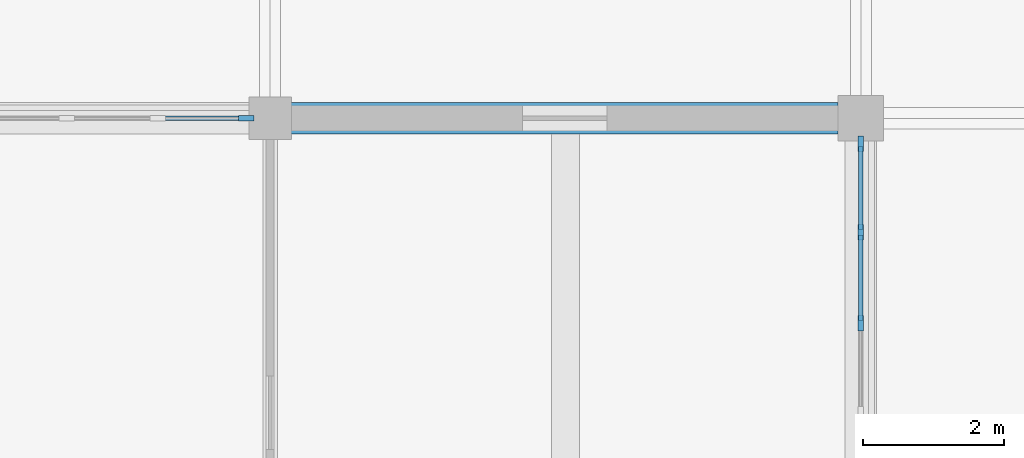
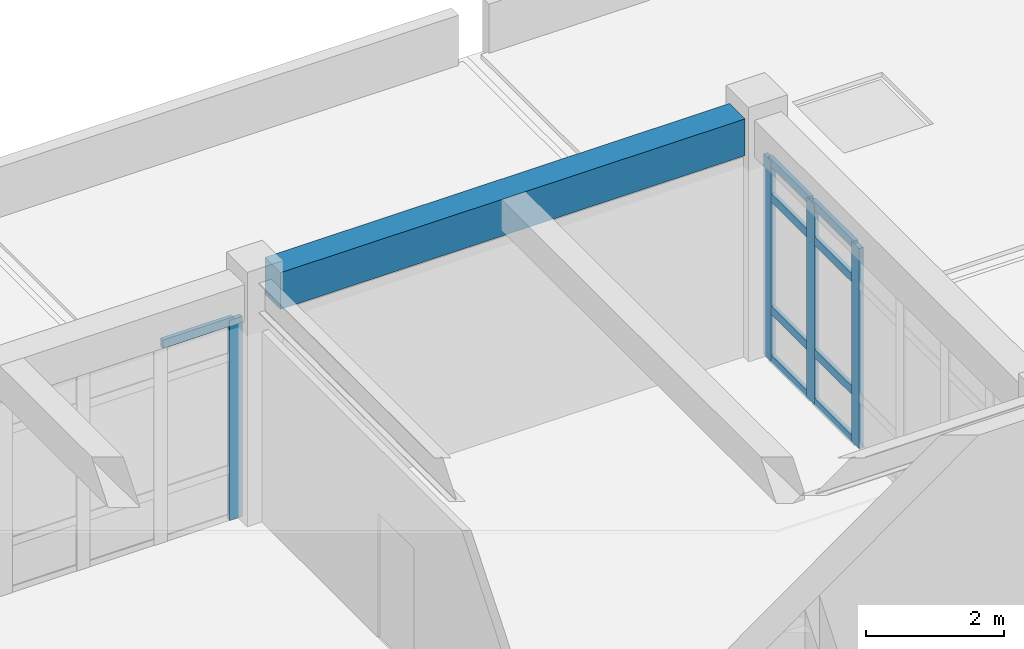
# One storey, part 37 of 78: 13 members, 1 beam, 2 elements without a shape of their own.
"""IFC4 building model written with IfcOpenShell, lengths in metres."""

from ifc_helpers import new_model, si_unit, direction, frame, origin, origin_2d, place, context, subcontext, project, spatial, rectangle, extrude, material, layer, layer_set, material_profile, profile_set, type_object, element, aggregate, save


model = new_model("IFC4")

# Units and contexts
model_context = context("Model", 3, precision=1e-05, world=origin(), true_north=direction((0.0, 1.0)))
body_context = subcontext(model_context, "Body", "Model", "MODEL_VIEW")
ifc_project = project(units=[si_unit("LENGTHUNIT", "METRE"), si_unit("AREAUNIT", "SQUARE_METRE"), si_unit("VOLUMEUNIT", "CUBIC_METRE"), si_unit("PLANEANGLEUNIT", "RADIAN"), si_unit("MASSUNIT", "GRAM", prefix="KILO")], contexts=[model_context])

# Site, building, storey
site_placement = place(None, origin())
site = spatial("IfcSite", under=ifc_project, at=site_placement, CompositionType="ELEMENT")
building_placement = place(site_placement, origin())
building = spatial("IfcBuilding", under=site, at=building_placement, Name="Porcellanite Civic Hall", CompositionType="ELEMENT")
storey_placement = place(building_placement, frame((0.0, 0.0, 10.260009765625)))
storey = spatial("IfcBuildingStorey", under=building, at=storey_placement, Name="L02", CompositionType="ELEMENT", Elevation=10.260009765625)

# Beam
ifc_material_1 = material(Name="Concrete N50 (50 MPa)", Category="concrete")
ifc_material_profile_1 = material_profile(ifc_material_1, rectangle(XDim=0.449951171875, YDim=0.64990234375, at=origin_2d()), Name="RC-450x650")
ifc_profile_set_1 = profile_set([ifc_material_profile_1], Name="Concrete N50 (50 MPa)")
beam_type = type_object("IfcBeamType", Name="BM-RC650", PredefinedType="SPANDREL", material=ifc_profile_set_1)
beam_placement = place(storey_placement, frame((159.8994140625, 67.199951171875, 3.9150390625), z_axis=(1.0, 0.0, 0.0), x_axis=(0.0, 1.0, 0.0)))
element("IfcBeam", 1, at=beam_placement, inside=storey, type_object=beam_type, Name="Beam X L02 20-9", PredefinedType="SPANDREL", context=body_context, shape_type="SweptSolid", body=[
    extrude(rectangle(XDim=0.449951171875, YDim=0.64990234375, at=origin_2d()), origin(), (0.0, 0.0, 1.0), 7.776123046875),
])

# Curtain wall, member
ifc_material_2 = material(Name="Anodised aluminium and solar laminated glass", Category="aluminium")
ifc_layer = layer(ifc_material_2, 0.179931640625)
ifc_layer_set = layer_set([ifc_layer], Name="Anodised aluminium and solar laminated glass")
curtain_wall_type = type_object("IfcCurtainWallType", Name="CW-SYS02", PredefinedType="NOTDEFINED", material=ifc_layer_set)
curtain_wall_1_placement = place(storey_placement, origin())
curtain_wall_1 = element("IfcCurtainWall", 2, at=curtain_wall_1_placement, inside=storey, type_object=curtain_wall_type, Name="Curtain wall CW-178", PredefinedType="NOTDEFINED")
ifc_material_3 = material(Name="Anodised aluminium 6063-T6", Category="aluminium")
ifc_material_profile_2 = material_profile(ifc_material_3, rectangle(XDim=0.074951171875, YDim=0.219970703125, at=origin_2d()), Name="AL-75x220")
ifc_profile_set_2 = profile_set([ifc_material_profile_2], Name="Anodised aluminium 6063-T6")
member_type_1 = type_object("IfcMemberType", Name="CWM-03", PredefinedType="MULLION", material=ifc_profile_set_2)
member_1_placement = place(storey_placement, frame((159.261474609375, 67.199951171875, 0.0), z_axis=(0.0, 0.0, 1.0), x_axis=(0.0, 1.0, 0.0)))
member_1 = element("IfcMember", 3, at=member_1_placement, type_object=member_type_1, Name="CW-178 mullion 7", PredefinedType="MULLION", context=body_context, shape_type="SweptSolid", body=[
    extrude(rectangle(XDim=0.074951171875, YDim=0.219970703125, at=origin_2d()), origin(), (0.0, 0.0, 1.0), 3.5400390625),
])

# Curtain wall, members
curtain_wall_2_placement = place(storey_placement, origin())
curtain_wall_2 = element("IfcCurtainWall", 4, at=curtain_wall_2_placement, inside=storey, type_object=curtain_wall_type, Name="Curtain wall CW-182", PredefinedType="NOTDEFINED")
member_2_placement = place(storey_placement, frame((168.0, 66.83642578125, 0.0), z_axis=(0.0, 0.0, 1.0), x_axis=(1.0, 0.0, 0.0)))
member_2 = element("IfcMember", 5, at=member_2_placement, type_object=member_type_1, Name="CW-182 mullion 1", PredefinedType="MULLION", context=body_context, shape_type="SweptSolid", body=[
    extrude(rectangle(XDim=0.074951171875, YDim=0.219970703125, at=origin_2d()), origin(), (0.0, 0.0, 1.0), 3.5400390625),
])
member_3_placement = place(storey_placement, frame((168.0, 65.57861328125, 0.0), z_axis=(0.0, 0.0, 1.0), x_axis=(1.0, 0.0, 0.0)))
member_3 = element("IfcMember", 6, at=member_3_placement, type_object=member_type_1, Name="CW-182 mullion 2", PredefinedType="MULLION", context=body_context, shape_type="SweptSolid", body=[
    extrude(rectangle(XDim=0.074951171875, YDim=0.219970703125, at=origin_2d()), origin(), (0.0, 0.0, 1.0), 3.5400390625),
])
member_4_placement = place(storey_placement, frame((168.0, 64.282958984375, 0.0), z_axis=(0.0, 0.0, 1.0), x_axis=(1.0, 0.0, 0.0)))
member_4 = element("IfcMember", 7, at=member_4_placement, type_object=member_type_1, Name="CW-182 mullion 3", PredefinedType="MULLION", context=body_context, shape_type="SweptSolid", body=[
    extrude(rectangle(XDim=0.074951171875, YDim=0.219970703125, at=origin_2d()), origin(), (0.0, 0.0, 1.0), 3.5400390625),
])

# Member
ifc_material_4 = material(Name="Anodised aluminium 6063-T6", Category="aluminium")
ifc_material_profile_3 = material_profile(ifc_material_4, rectangle(XDim=0.06494140625, YDim=0.14990234375, at=origin_2d()), Name="AL-65x150")
ifc_profile_set_3 = profile_set([ifc_material_profile_3], Name="Anodised aluminium 6063-T6")
member_type_2 = type_object("IfcMemberType", Name="CWT-02", PredefinedType="USERDEFINED", material=ifc_profile_set_3)
member_5_placement = place(storey_placement, frame((158.041015625, 67.199951171875, 3.507568359375), z_axis=(1.0, 0.0, 0.0), x_axis=(0.0, 1.0, 0.0)))
member_5 = element("IfcMember", 8, at=member_5_placement, type_object=member_type_2, Name="CW-178 transom 6.4", ObjectType="TRANSOM", PredefinedType="USERDEFINED", context=body_context, shape_type="SweptSolid", body=[
    extrude(rectangle(XDim=0.06494140625, YDim=0.14990234375, at=origin_2d()), origin(), (0.0, 0.0, 1.0), 1.18310546875),
])

aggregate(curtain_wall_1, [member_1, member_5])

member_6_placement = place(storey_placement, frame((168.0, 66.799072265625, 0.032470703125), z_axis=(0.0, -1.0, 0.0), x_axis=(1.0, 0.0, 0.0)))
member_6 = element("IfcMember", 9, at=member_6_placement, type_object=member_type_2, Name="CW-182 transom 1.1", ObjectType="TRANSOM", PredefinedType="USERDEFINED", context=body_context, shape_type="SweptSolid", body=[
    extrude(rectangle(XDim=0.06494140625, YDim=0.14990234375, at=origin_2d()), origin(), (0.0, 0.0, 1.0), 1.18310546875),
])

member_7_placement = place(storey_placement, frame((168.0, 66.799072265625, 0.89990234375), z_axis=(0.0, -1.0, 0.0), x_axis=(1.0, 0.0, 0.0)))
member_7 = element("IfcMember", 10, at=member_7_placement, type_object=member_type_2, Name="CW-182 transom 1.2", ObjectType="TRANSOM", PredefinedType="USERDEFINED", context=body_context, shape_type="SweptSolid", body=[
    extrude(rectangle(XDim=0.06494140625, YDim=0.14990234375, at=origin_2d()), origin(), (0.0, 0.0, 1.0), 1.18310546875),
])

member_8_placement = place(storey_placement, frame((168.0, 66.799072265625, 2.889892578125), z_axis=(0.0, -1.0, 0.0), x_axis=(1.0, 0.0, 0.0)))
member_8 = element("IfcMember", 11, at=member_8_placement, type_object=member_type_2, Name="CW-182 transom 1.3", ObjectType="TRANSOM", PredefinedType="USERDEFINED", context=body_context, shape_type="SweptSolid", body=[
    extrude(rectangle(XDim=0.06494140625, YDim=0.14990234375, at=origin_2d()), origin(), (0.0, 0.0, 1.0), 1.18310546875),
])

member_9_placement = place(storey_placement, frame((168.0, 66.799072265625, 3.507568359375), z_axis=(0.0, -1.0, 0.0), x_axis=(1.0, 0.0, 0.0)))
member_9 = element("IfcMember", 12, at=member_9_placement, type_object=member_type_2, Name="CW-182 transom 1.4", ObjectType="TRANSOM", PredefinedType="USERDEFINED", context=body_context, shape_type="SweptSolid", body=[
    extrude(rectangle(XDim=0.06494140625, YDim=0.14990234375, at=origin_2d()), origin(), (0.0, 0.0, 1.0), 1.18310546875),
])

member_10_placement = place(storey_placement, frame((168.0, 65.541015625, 0.032470703125), z_axis=(0.0, -1.0, 0.0), x_axis=(1.0, 0.0, 0.0)))
member_10 = element("IfcMember", 13, at=member_10_placement, type_object=member_type_2, Name="CW-182 transom 2.1", ObjectType="TRANSOM", PredefinedType="USERDEFINED", context=body_context, shape_type="SweptSolid", body=[
    extrude(rectangle(XDim=0.06494140625, YDim=0.14990234375, at=origin_2d()), origin(), (0.0, 0.0, 1.0), 1.220458984375),
])

member_11_placement = place(storey_placement, frame((168.0, 65.541015625, 0.89990234375), z_axis=(0.0, -1.0, 0.0), x_axis=(1.0, 0.0, 0.0)))
member_11 = element("IfcMember", 14, at=member_11_placement, type_object=member_type_2, Name="CW-182 transom 2.2", ObjectType="TRANSOM", PredefinedType="USERDEFINED", context=body_context, shape_type="SweptSolid", body=[
    extrude(rectangle(XDim=0.06494140625, YDim=0.14990234375, at=origin_2d()), origin(), (0.0, 0.0, 1.0), 1.220458984375),
])

member_12_placement = place(storey_placement, frame((168.0, 65.541015625, 2.889892578125), z_axis=(0.0, -1.0, 0.0), x_axis=(1.0, 0.0, 0.0)))
member_12 = element("IfcMember", 15, at=member_12_placement, type_object=member_type_2, Name="CW-182 transom 2.3", ObjectType="TRANSOM", PredefinedType="USERDEFINED", context=body_context, shape_type="SweptSolid", body=[
    extrude(rectangle(XDim=0.06494140625, YDim=0.14990234375, at=origin_2d()), origin(), (0.0, 0.0, 1.0), 1.220458984375),
])

member_13_placement = place(storey_placement, frame((168.0, 65.541015625, 3.507568359375), z_axis=(0.0, -1.0, 0.0), x_axis=(1.0, 0.0, 0.0)))
member_13 = element("IfcMember", 16, at=member_13_placement, type_object=member_type_2, Name="CW-182 transom 2.4", ObjectType="TRANSOM", PredefinedType="USERDEFINED", context=body_context, shape_type="SweptSolid", body=[
    extrude(rectangle(XDim=0.06494140625, YDim=0.14990234375, at=origin_2d()), origin(), (0.0, 0.0, 1.0), 1.220458984375),
])

aggregate(curtain_wall_2, [member_2, member_3, member_4, member_6, member_7, member_8, member_9, member_10, member_11, member_12, member_13])

save(model, "model.ifc")
